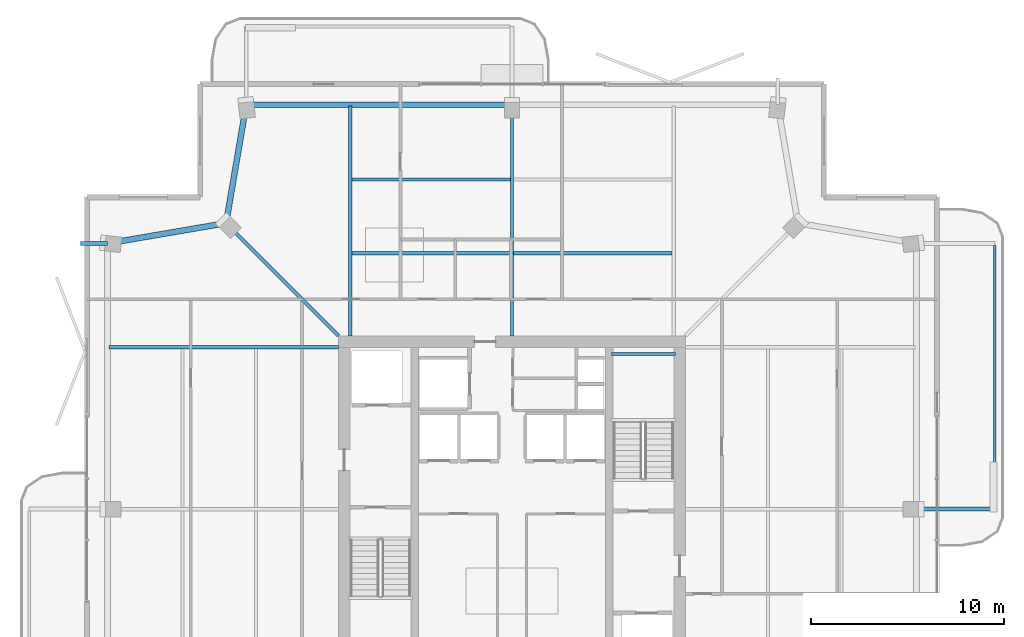
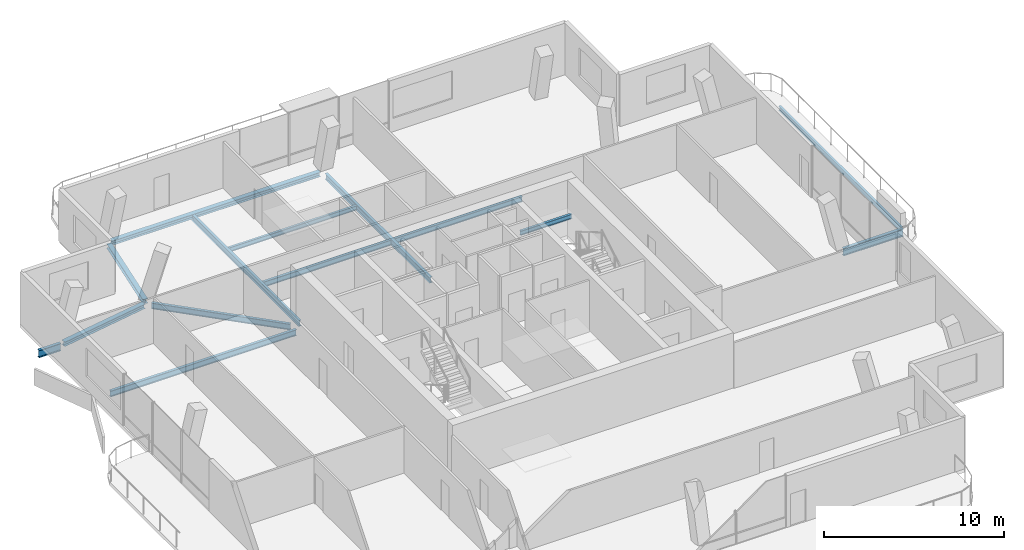
# One storey, part 10 of 19: 14 beams.
"""IFC4 building model written with IfcOpenShell, lengths in metres."""

import ifcopenshell
import ifcopenshell.guid

model = None  # the IFC model being written
_history = None  # IfcOwnerHistory: only IFC2X3 demands one
_inside = {}  # id of a spatial element -> (the spatial element, [elements in it])
_under = {}  # id of a project, library or spatial element -> (it, [spatial elements below it])
_declared = {}  # id of a project -> (the project, [libraries it declares])
_typed = {}  # id of a type object -> (the type object, [elements of that type])
_made_of = {}  # id of a material, layer set ... -> (it, [elements and type objects made of it])


def new_model(schema):
    """Start an empty IFC model of exactly this schema.

    Asked for "IFC4X3", IfcOpenShell would pick the latest addendum, in which some entities
    have other attributes; the version numbers below select the first issue.
    IFC2X3 requires an IfcOwnerHistory on every rooted entity: one is made here for all.
    """
    global model, _history
    if schema == "IFC4X3":
        model = ifcopenshell.file(schema_version=(4, 3, 0, 0))
    else:
        model = ifcopenshell.file(schema=schema)
    _inside.clear()
    _under.clear()
    _declared.clear()
    _typed.clear()
    _made_of.clear()
    _history = None
    if model.schema == "IFC2X3":
        org = make("IfcOrganization", Name="unknown")
        user = make(
            "IfcPersonAndOrganization",
            ThePerson=make("IfcPerson", FamilyName="unknown"),
            TheOrganization=org,
        )
        app = make(
            "IfcApplication",
            ApplicationDeveloper=org,
            Version="unknown",
            ApplicationFullName="unknown",
            ApplicationIdentifier="unknown",
        )
        _history = make(
            "IfcOwnerHistory",
            OwningUser=user,
            OwningApplication=app,
            ChangeAction="ADDED",
            CreationDate=0,
        )
    return model


def make(cls, **values):
    """One entity of the class cls with the attributes given. An attribute that is None is left unset."""
    return model.create_entity(
        cls, **{name: value for name, value in values.items() if value is not None}
    )


def rooted(cls, **values):
    """An entity with a GlobalId (a new one), such as an element, a storey or a relation."""
    return make(cls, GlobalId=ifcopenshell.guid.new(), OwnerHistory=_history, **values)


def si_unit(unit_type, name, prefix=None):
    """IfcSIUnit, for example si_unit("LENGTHUNIT", "METRE", prefix="MILLI")."""
    return make("IfcSIUnit", UnitType=unit_type, Prefix=prefix, Name=name)


def assignment(units):
    """IfcUnitAssignment: the units of a project."""
    return None if units is None else make("IfcUnitAssignment", Units=units)


def point(xyz):
    """IfcCartesianPoint."""
    return None if xyz is None else make("IfcCartesianPoint", Coordinates=xyz)


def direction(xyz):
    """IfcDirection."""
    return None if xyz is None else make("IfcDirection", DirectionRatios=xyz)


def frame(location, z_axis=None, x_axis=None):
    """IfcAxis2Placement3D, a coordinate frame: its origin and axes. An axis left out is left unset."""
    return make(
        "IfcAxis2Placement3D",
        Location=point(location),
        Axis=direction(z_axis),
        RefDirection=direction(x_axis),
    )


def frame_2d(location, x_axis=None):
    """IfcAxis2Placement2D, a coordinate frame in the plane: its origin and x axis."""
    return make(
        "IfcAxis2Placement2D", Location=point(location), RefDirection=direction(x_axis)
    )


def origin():
    """The frame at (0, 0, 0) with its axes left unset."""
    return frame((0.0, 0.0, 0.0))


def origin_2d():
    """The frame at (0, 0) in the plane with its x axis left unset."""
    return frame_2d((0.0, 0.0))


def place(relative_to, where):
    """IfcLocalPlacement: puts the frame where relative to a parent placement (None: the world)."""
    return make(
        "IfcLocalPlacement", PlacementRelTo=relative_to, RelativePlacement=where
    )


def context(
    kind, dimensions, precision=None, world=None, true_north=None, identifier=None
):
    """IfcGeometricRepresentationContext, for example the 3D "Model" context."""
    return make(
        "IfcGeometricRepresentationContext",
        ContextIdentifier=identifier,
        ContextType=kind,
        CoordinateSpaceDimension=dimensions,
        Precision=precision,
        WorldCoordinateSystem=world,
        TrueNorth=true_north,
    )


def subcontext(parent, identifier, kind, view, scale=None):
    """IfcGeometricRepresentationSubContext, for example "Body" below "Model"."""
    return make(
        "IfcGeometricRepresentationSubContext",
        ContextIdentifier=identifier,
        ContextType=kind,
        ParentContext=parent,
        TargetScale=scale,
        TargetView=view,
    )


def project(units=None, contexts=None):
    """IfcProject with its units and contexts."""
    return rooted(
        "IfcProject",
        Name="project",
        RepresentationContexts=contexts,
        UnitsInContext=assignment(units),
    )


def spatial(cls, under=None, at=None, **own):
    """A site, building, storey or space (cls), placed at a placement, below another one or the project."""
    s = rooted(cls, ObjectPlacement=at, **own)
    if under is not None:
        _under.setdefault(under.id(), (under, []))[1].append(s)
    return s


def profile(cls, at=None, kind="AREA", **sizes):
    """A parametric profile (cls). Its sizes go by their IFC names, for example OverallWidth=200.0."""
    return make(cls, ProfileType=kind, Position=at, **sizes)


def i_section(**sizes):
    """IfcIShapeProfileDef."""
    return profile("IfcIShapeProfileDef", **sizes)


def extrude(swept, where, along, depth):
    """IfcExtrudedAreaSolid: the profile swept, set in the frame where, extruded along a direction by depth."""
    return make(
        "IfcExtrudedAreaSolid",
        SweptArea=swept,
        Position=where,
        ExtrudedDirection=direction(along),
        Depth=depth,
    )


def shape(context_of_items, identifier, shape_type, items):
    """IfcShapeRepresentation: the items that make up one representation, for example the "Body"."""
    return make(
        "IfcShapeRepresentation",
        ContextOfItems=context_of_items,
        RepresentationIdentifier=identifier,
        RepresentationType=shape_type,
        Items=items,
    )


def material(Name=None, Category=None):
    """IfcMaterial."""
    return make("IfcMaterial", Name=Name, Category=Category)


def material_profile(
    of_material, cross_section, Name=None, Category=None, Priority=None
):
    """IfcMaterialProfile: a cross section and its material."""
    return make(
        "IfcMaterialProfile",
        Name=Name,
        Material=of_material,
        Profile=cross_section,
        Priority=Priority,
        Category=Category,
    )


def profile_set(profiles, Name=None, composite=None):
    """IfcMaterialProfileSet."""
    return make(
        "IfcMaterialProfileSet",
        Name=Name,
        MaterialProfiles=profiles,
        CompositeProfile=composite,
    )


def made_of(thing, what):
    """Note that an element or type object is made of a material, layer set ...; save() writes the relation."""
    if what is not None:
        _made_of.setdefault(what.id(), (what, []))[1].append(thing)
    return thing


def type_object(cls, material=None, **own):
    """A type object (cls), such as IfcWallType, which elements share."""
    return made_of(rooted(cls, **own), material)


def element(
    cls,
    number,
    at=None,
    inside=None,
    cuts=None,
    type_object=None,
    material=None,
    context=None,
    identifier="Body",
    shape_type=None,
    held_by="IfcProductDefinitionShape",
    body=None,
    shapes=None,
    **own,
):
    """One element of the class cls, such as IfcWall. Its Tag is "e" and its number.

    at: its placement. inside: the storey or other place that contains it. cuts: it is an
    opening in that element (IfcRelVoidsElement). A single representation is given by context,
    identifier, shape_type and body (its items); several are given by shapes. held_by: the class
    of the entity that holds the representations. save() writes the other relations.
    """
    e = rooted(cls, Tag="e%d" % number, ObjectPlacement=at, **own)
    if body is not None:
        shapes = [shape(context, identifier, shape_type, body)]
    if shapes is not None:
        e.Representation = make(held_by, Representations=shapes)
    if inside is not None:
        _inside.setdefault(inside.id(), (inside, []))[1].append(e)
    if cuts is not None:
        rooted(
            "IfcRelVoidsElement", RelatingBuildingElement=cuts, RelatedOpeningElement=e
        )
    if type_object is not None:
        _typed.setdefault(type_object.id(), (type_object, []))[1].append(e)
    return made_of(e, material)


def aggregate(whole, parts):
    """IfcRelAggregates: a whole, such as a stair, and the parts it consists of."""
    return rooted("IfcRelAggregates", RelatingObject=whole, RelatedObjects=parts)


def save(model, path):
    """Write the relations noted so far, then the file.

    IfcRelAggregates (storeys below a building ...), IfcRelContainedInSpatialStructure (elements
    in a storey), IfcRelDefinesByType, IfcRelAssociatesMaterial and IfcRelDeclares: one each for
    every whole, place, type object, material and project.
    """
    for whole, parts in _under.values():
        aggregate(whole, parts)
    for where, things in _inside.values():
        rooted(
            "IfcRelContainedInSpatialStructure",
            RelatedElements=things,
            RelatingStructure=where,
        )
    for kind, things in _typed.values():
        rooted("IfcRelDefinesByType", RelatedObjects=things, RelatingType=kind)
    for what, things in _made_of.values():
        rooted("IfcRelAssociatesMaterial", RelatedObjects=things, RelatingMaterial=what)
    for by, libraries in _declared.values():
        rooted("IfcRelDeclares", RelatingContext=by, RelatedDefinitions=libraries)
    model.write(path)


model = new_model("IFC4")

# Units and contexts
model_context = context("Model", 3, precision=1e-05, world=origin(), true_north=direction((0.0, 1.0)))
body_context = subcontext(model_context, "Body", "Model", "MODEL_VIEW")
ifc_project = project(units=[si_unit("LENGTHUNIT", "METRE"), si_unit("AREAUNIT", "SQUARE_METRE"), si_unit("VOLUMEUNIT", "CUBIC_METRE"), si_unit("PLANEANGLEUNIT", "RADIAN"), si_unit("MASSUNIT", "GRAM", prefix="KILO")], contexts=[model_context])

# Site, building, storey
site_placement = place(None, origin())
site = spatial("IfcSite", under=ifc_project, at=site_placement, CompositionType="ELEMENT")
building_placement = place(site_placement, origin())
building = spatial("IfcBuilding", under=site, at=building_placement, Name="Belovzor Exchange Tower", CompositionType="ELEMENT")
storey_placement = place(building_placement, frame((0.0, 0.0, 340.5)))
storey = spatial("IfcBuildingStorey", under=building, at=storey_placement, Name="L85", CompositionType="ELEMENT", Elevation=340.5)

# Beams
ifc_material_1 = material(Name="Steel S355", Category="steel")
ifc_material_profile_1 = material_profile(ifc_material_1, i_section(OverallWidth=0.199951171875, OverallDepth=0.5, WebThickness=0.01025390625, FlangeThickness=0.01611328125, at=origin_2d()))
ifc_profile_set_1 = profile_set([ifc_material_profile_1], Name="Steel S355")
beam_type_1 = type_object("IfcBeamType", Name="Planted Balcony Cantilever Beam IPE 500", PredefinedType="BEAM", material=ifc_profile_set_1)
beam_1_placement = place(storey_placement, frame((50.02001953125, 28.800048828125, -0.489990234375), z_axis=(1.0, 0.0, 0.0), x_axis=(0.0, 1.0, 0.0)))
element("IfcBeam", 1, at=beam_1_placement, inside=storey, type_object=beam_type_1, Name="BC-500 Planted Balcony Cantilever Beam IPE 500", PredefinedType="BEAM", context=body_context, shape_type="SweptSolid", body=[
    extrude(i_section(OverallWidth=0.199951171875, OverallDepth=0.5, WebThickness=0.01025390625, FlangeThickness=0.01611328125, at=origin_2d()), origin(), (0.0, 0.0, 1.0), 3.85009765625),
])
beam_2_placement = place(storey_placement, frame((7.800048828125, 42.60009765625, -0.489990234375), z_axis=(-1.0, 0.0, 0.0), x_axis=(0.0, -1.0, 0.0)))
element("IfcBeam", 2, at=beam_2_placement, inside=storey, type_object=beam_type_1, Name="BC-500 Planted Balcony Cantilever Beam IPE 500", PredefinedType="BEAM", context=body_context, shape_type="SweptSolid", body=[
    extrude(i_section(OverallWidth=0.199951171875, OverallDepth=0.5, WebThickness=0.01025390625, FlangeThickness=0.01611328125, at=origin_2d()), origin(), (0.0, 0.0, 1.0), 1.400146484375),
])
ifc_material_2 = material(Name="Steel S355", Category="steel")
ifc_material_profile_2 = material_profile(ifc_material_2, i_section(OverallWidth=0.14990234375, OverallDepth=0.300048828125, WebThickness=0.007080078125, FlangeThickness=0.0107421875, at=origin_2d()))
ifc_profile_set_2 = profile_set([ifc_material_profile_2], Name="Steel S355")
beam_type_2 = type_object("IfcBeamType", Name="Planted Balcony Fascia Edge Beam IPE 300", PredefinedType="BEAM", material=ifc_profile_set_2)
beam_3_placement = place(storey_placement, frame((53.8701171875, 28.89990234375, -0.389892578125), z_axis=(0.0, 1.0, 0.0), x_axis=(-1.0, 0.0, 0.0)))
element("IfcBeam", 3, at=beam_3_placement, inside=storey, type_object=beam_type_2, Name="BC-300 Planted Balcony Fascia Edge Beam IPE 300", PredefinedType="BEAM", context=body_context, shape_type="SweptSolid", body=[
    extrude(i_section(OverallWidth=0.14990234375, OverallDepth=0.300048828125, WebThickness=0.007080078125, FlangeThickness=0.0107421875, at=origin_2d()), origin(), (0.0, 0.0, 1.0), 13.60009765625),
])
ifc_material_3 = material(Name="Steel S355", Category="steel")
ifc_material_profile_3 = material_profile(ifc_material_3, i_section(OverallWidth=0.169921875, OverallDepth=0.360107421875, WebThickness=0.008056640625, FlangeThickness=0.0126953125, at=origin_2d()))
ifc_profile_set_3 = profile_set([ifc_material_profile_3], Name="Steel S355")
beam_type_3 = type_object("IfcBeamType", Name="Secondary Infill Floor Joist IPE 360", PredefinedType="BEAM", material=ifc_profile_set_3)
beam_4_placement = place(storey_placement, frame((20.489990234375, 42.093017578125, -0.419921875), z_axis=(1.0, 0.0, 0.0), x_axis=(0.0, 1.0, 0.0)))
element("IfcBeam", 4, at=beam_4_placement, inside=storey, type_object=beam_type_3, Name="FJ-360 Secondary Infill Floor Joist IPE 360", PredefinedType="BEAM", context=body_context, shape_type="SweptSolid", body=[
    extrude(i_section(OverallWidth=0.169921875, OverallDepth=0.360107421875, WebThickness=0.008056640625, FlangeThickness=0.0126953125, at=origin_2d()), origin(), (0.0, 0.0, 1.0), 8.219970703125),
])
beam_5_placement = place(storey_placement, frame((28.889892578125, 42.093017578125, -0.419921875), z_axis=(1.0, 0.0, 0.0), x_axis=(0.0, 1.0, 0.0)))
element("IfcBeam", 5, at=beam_5_placement, inside=storey, type_object=beam_type_3, Name="FJ-360 Secondary Infill Floor Joist IPE 360", PredefinedType="BEAM", context=body_context, shape_type="SweptSolid", body=[
    extrude(i_section(OverallWidth=0.169921875, OverallDepth=0.360107421875, WebThickness=0.008056640625, FlangeThickness=0.0126953125, at=origin_2d()), origin(), (0.0, 0.0, 1.0), 8.22021484375),
])
ifc_material_4 = material(Name="Steel S355", Category="steel")
ifc_material_profile_4 = material_profile(ifc_material_4, i_section(OverallWidth=0.14990234375, OverallDepth=0.300048828125, WebThickness=0.007080078125, FlangeThickness=0.0107421875, at=origin_2d()))
ifc_profile_set_4 = profile_set([ifc_material_profile_4], Name="Steel S355")
beam_type_4 = type_object("IfcBeamType", Name="Secondary Trim Floor Joist IPE 300", PredefinedType="BEAM", material=ifc_profile_set_4)
beam_6_placement = place(storey_placement, frame((37.280029296875, 36.85009765625, 1.52490234375), z_axis=(-1.0, 0.0, 0.0), x_axis=(0.0, -1.0, 0.0)))
element("IfcBeam", 6, at=beam_6_placement, inside=storey, type_object=beam_type_4, Name="FJ-300 Secondary Trim Floor Joist IPE 300", PredefinedType="BEAM", context=body_context, shape_type="SweptSolid", body=[
    extrude(i_section(OverallWidth=0.14990234375, OverallDepth=0.300048828125, WebThickness=0.007080078125, FlangeThickness=0.0107421875, at=origin_2d()), origin(), (0.0, 0.0, 1.0), 3.31005859375),
])
beam_7_placement = place(storey_placement, frame((20.489990234375, 45.908935546875, -0.389892578125), z_axis=(1.0, 0.0, 0.0), x_axis=(0.0, 1.0, 0.0)))
element("IfcBeam", 7, at=beam_7_placement, inside=storey, type_object=beam_type_4, Name="FJ-300 Secondary Trim Floor Joist IPE 300", PredefinedType="BEAM", context=body_context, shape_type="SweptSolid", body=[
    extrude(i_section(OverallWidth=0.14990234375, OverallDepth=0.300048828125, WebThickness=0.007080078125, FlangeThickness=0.0107421875, at=origin_2d()), origin(), (0.0, 0.0, 1.0), 8.219970703125),
])
ifc_material_5 = material(Name="Steel S355", Category="steel")
ifc_material_profile_5 = material_profile(ifc_material_5, i_section(OverallWidth=0.179931640625, OverallDepth=0.39990234375, WebThickness=0.008544921875, FlangeThickness=0.013427734375, at=origin_2d()))
ifc_profile_set_5 = profile_set([ifc_material_profile_5], Name="Steel S355")
beam_type_5 = type_object("IfcBeamType", Name="Zone 5-6 Radial Composite Floor Beam IPE 400", PredefinedType="BEAM", material=ifc_profile_set_5)
beam_8_placement = place(storey_placement, frame((20.39990234375, 37.800048828125, -0.43994140625), z_axis=(0.0, 1.0, 0.0), x_axis=(-1.0, 0.0, 0.0)))
element("IfcBeam", 8, at=beam_8_placement, inside=storey, type_object=beam_type_5, Name="FB-400 Zone 5-6 Radial Composite Floor Beam IPE 400", PredefinedType="BEAM", context=body_context, shape_type="SweptSolid", body=[
    extrude(i_section(OverallWidth=0.179931640625, OverallDepth=0.39990234375, WebThickness=0.008544921875, FlangeThickness=0.013427734375, at=origin_2d()), origin(), (0.0, 0.0, 1.0), 11.925048828125),
])
beam_9_placement = place(storey_placement, frame((28.800048828125, 37.800048828125, -0.43994140625), z_axis=(0.0, 1.0, 0.0), x_axis=(-1.0, 0.0, 0.0)))
element("IfcBeam", 9, at=beam_9_placement, inside=storey, type_object=beam_type_5, Name="FB-400 Zone 5-6 Radial Composite Floor Beam IPE 400", PredefinedType="BEAM", context=body_context, shape_type="SweptSolid", body=[
    extrude(i_section(OverallWidth=0.179931640625, OverallDepth=0.39990234375, WebThickness=0.008544921875, FlangeThickness=0.013427734375, at=origin_2d()), origin(), (0.0, 0.0, 1.0), 11.64794921875),
])
beam_10_placement = place(storey_placement, frame((19.800048828125, 37.199951171875, -0.43994140625), z_axis=(-1.0, 0.0, 0.0), x_axis=(0.0, -1.0, 0.0)))
element("IfcBeam", 10, at=beam_10_placement, inside=storey, type_object=beam_type_5, Name="FB-400 Zone 5-6 Radial Composite Floor Beam IPE 400", PredefinedType="BEAM", context=body_context, shape_type="SweptSolid", body=[
    extrude(i_section(OverallWidth=0.179931640625, OverallDepth=0.39990234375, WebThickness=0.008544921875, FlangeThickness=0.013427734375, at=origin_2d()), origin(), (0.0, 0.0, 1.0), 11.925048828125),
])
beam_11_placement = place(storey_placement, frame((19.800048828125, 37.800048828125, -0.43994140625), z_axis=(-0.707122058256, 0.707091503787, 0.0), x_axis=(-0.707091503787, -0.707122058256, 0.0)))
element("IfcBeam", 11, at=beam_11_placement, inside=storey, type_object=beam_type_5, Name="FB-400 Zone 5-6 Radial Composite Floor Beam IPE 400", PredefinedType="BEAM", context=body_context, shape_type="SweptSolid", body=[
    extrude(i_section(OverallWidth=0.179931640625, OverallDepth=0.39990234375, WebThickness=0.008544921875, FlangeThickness=0.013427734375, at=origin_2d()), origin(), (0.0, 0.0, 1.0), 7.990234375),
])
ifc_material_6 = material(Name="Steel S355", Category="steel")
ifc_material_profile_6 = material_profile(ifc_material_6, i_section(OverallWidth=0.300048828125, OverallDepth=0.300048828125, WebThickness=0.008544921875, FlangeThickness=0.013916015625, at=origin_2d()))
ifc_profile_set_6 = profile_set([ifc_material_profile_6], Name="Steel S355")
beam_type_6 = type_object("IfcBeamType", Name="Zone 6 Primary Girder HEA 300", PredefinedType="BEAM", material=ifc_profile_set_6)
beam_12_placement = place(storey_placement, frame((28.580078125, 49.800048828125, -0.389892578125), z_axis=(-1.0, 0.0, 0.0), x_axis=(0.0, -1.0, 0.0)))
element("IfcBeam", 12, at=beam_12_placement, inside=storey, type_object=beam_type_6, Name="FG-Z6 Zone 6 Primary Girder HEA 300", PredefinedType="BEAM", context=body_context, shape_type="SweptSolid", body=[
    extrude(i_section(OverallWidth=0.300048828125, OverallDepth=0.300048828125, WebThickness=0.008544921875, FlangeThickness=0.013916015625, at=origin_2d()), origin(), (0.0, 0.0, 1.0), 13.360107421875),
])
beam_13_placement = place(storey_placement, frame((14.962890625, 49.5830078125, -0.389892578125), z_axis=(-0.168282493706, -0.985738810392, 0.0), x_axis=(0.985738810392, -0.168282493706, 0.0)))
element("IfcBeam", 13, at=beam_13_placement, inside=storey, type_object=beam_type_6, Name="FG-Z6 Zone 6 Primary Girder HEA 300", PredefinedType="BEAM", context=body_context, shape_type="SweptSolid", body=[
    extrude(i_section(OverallWidth=0.300048828125, OverallDepth=0.300048828125, WebThickness=0.008544921875, FlangeThickness=0.013916015625, at=origin_2d()), origin(), (0.0, 0.0, 1.0), 5.798828125),
])
beam_14_placement = place(storey_placement, frame((13.73291015625, 43.613037109375, -0.389892578125), z_axis=(-0.985730632633, -0.168330389085, 0.0), x_axis=(0.168330389085, -0.985730632633, 0.0)))
element("IfcBeam", 14, at=beam_14_placement, inside=storey, type_object=beam_type_6, Name="FG-Z6 Zone 6 Primary Girder HEA 300", PredefinedType="BEAM", context=body_context, shape_type="SweptSolid", body=[
    extrude(i_section(OverallWidth=0.300048828125, OverallDepth=0.300048828125, WebThickness=0.008544921875, FlangeThickness=0.013916015625, at=origin_2d()), origin(), (0.0, 0.0, 1.0), 5.798583984375),
])

save(model, "model.ifc")
